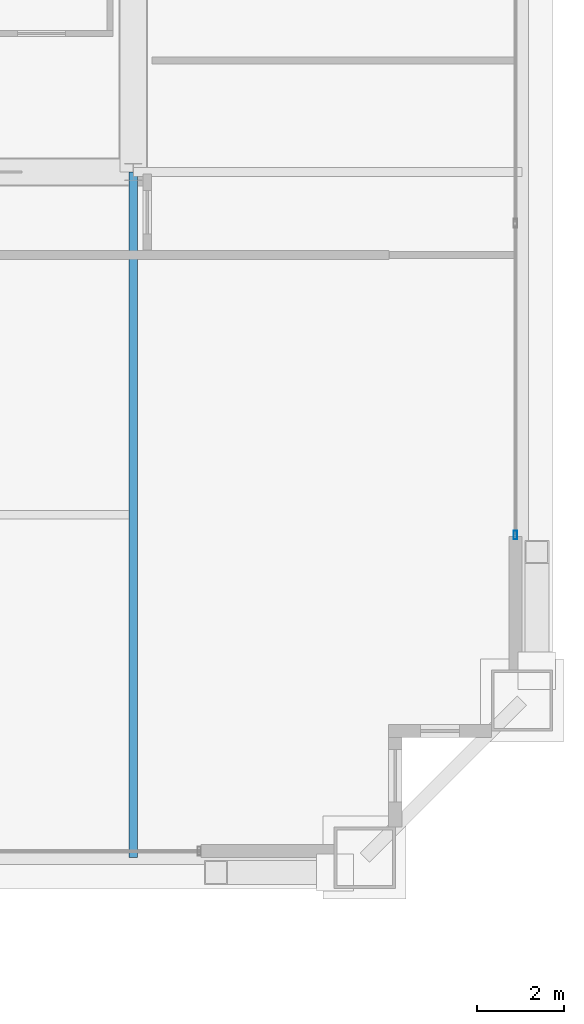
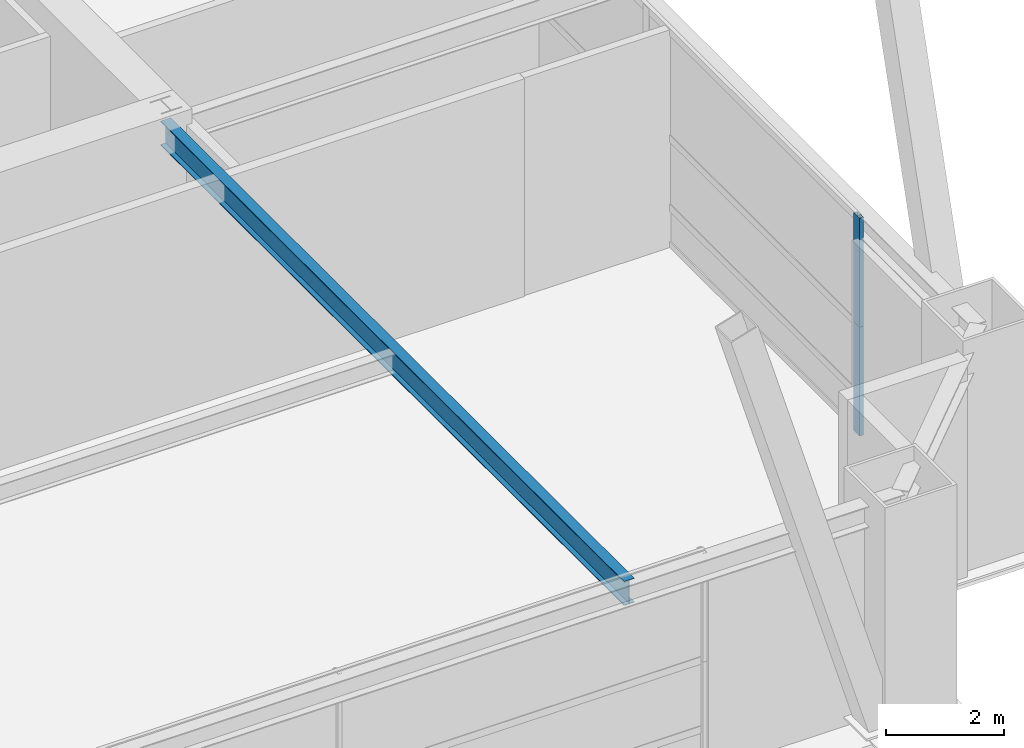
# One storey, part 15 of 34: 2 members, 1 beam, 1 element without a shape of its own.
"""IFC4 building model written with IfcOpenShell, lengths in metres."""

import ifcopenshell
import ifcopenshell.guid

model = None  # the IFC model being written
_history = None  # IfcOwnerHistory: only IFC2X3 demands one
_inside = {}  # id of a spatial element -> (the spatial element, [elements in it])
_under = {}  # id of a project, library or spatial element -> (it, [spatial elements below it])
_declared = {}  # id of a project -> (the project, [libraries it declares])
_typed = {}  # id of a type object -> (the type object, [elements of that type])
_made_of = {}  # id of a material, layer set ... -> (it, [elements and type objects made of it])


def new_model(schema):
    """Start an empty IFC model of exactly this schema.

    Asked for "IFC4X3", IfcOpenShell would pick the latest addendum, in which some entities
    have other attributes; the version numbers below select the first issue.
    IFC2X3 requires an IfcOwnerHistory on every rooted entity: one is made here for all.
    """
    global model, _history
    if schema == "IFC4X3":
        model = ifcopenshell.file(schema_version=(4, 3, 0, 0))
    else:
        model = ifcopenshell.file(schema=schema)
    _inside.clear()
    _under.clear()
    _declared.clear()
    _typed.clear()
    _made_of.clear()
    _history = None
    if model.schema == "IFC2X3":
        org = make("IfcOrganization", Name="unknown")
        user = make(
            "IfcPersonAndOrganization",
            ThePerson=make("IfcPerson", FamilyName="unknown"),
            TheOrganization=org,
        )
        app = make(
            "IfcApplication",
            ApplicationDeveloper=org,
            Version="unknown",
            ApplicationFullName="unknown",
            ApplicationIdentifier="unknown",
        )
        _history = make(
            "IfcOwnerHistory",
            OwningUser=user,
            OwningApplication=app,
            ChangeAction="ADDED",
            CreationDate=0,
        )
    return model


def make(cls, **values):
    """One entity of the class cls with the attributes given. An attribute that is None is left unset."""
    return model.create_entity(
        cls, **{name: value for name, value in values.items() if value is not None}
    )


def rooted(cls, **values):
    """An entity with a GlobalId (a new one), such as an element, a storey or a relation."""
    return make(cls, GlobalId=ifcopenshell.guid.new(), OwnerHistory=_history, **values)


def si_unit(unit_type, name, prefix=None):
    """IfcSIUnit, for example si_unit("LENGTHUNIT", "METRE", prefix="MILLI")."""
    return make("IfcSIUnit", UnitType=unit_type, Prefix=prefix, Name=name)


def assignment(units):
    """IfcUnitAssignment: the units of a project."""
    return None if units is None else make("IfcUnitAssignment", Units=units)


def point(xyz):
    """IfcCartesianPoint."""
    return None if xyz is None else make("IfcCartesianPoint", Coordinates=xyz)


def direction(xyz):
    """IfcDirection."""
    return None if xyz is None else make("IfcDirection", DirectionRatios=xyz)


def frame(location, z_axis=None, x_axis=None):
    """IfcAxis2Placement3D, a coordinate frame: its origin and axes. An axis left out is left unset."""
    return make(
        "IfcAxis2Placement3D",
        Location=point(location),
        Axis=direction(z_axis),
        RefDirection=direction(x_axis),
    )


def frame_2d(location, x_axis=None):
    """IfcAxis2Placement2D, a coordinate frame in the plane: its origin and x axis."""
    return make(
        "IfcAxis2Placement2D", Location=point(location), RefDirection=direction(x_axis)
    )


def origin():
    """The frame at (0, 0, 0) with its axes left unset."""
    return frame((0.0, 0.0, 0.0))


def origin_2d():
    """The frame at (0, 0) in the plane with its x axis left unset."""
    return frame_2d((0.0, 0.0))


def place(relative_to, where):
    """IfcLocalPlacement: puts the frame where relative to a parent placement (None: the world)."""
    return make(
        "IfcLocalPlacement", PlacementRelTo=relative_to, RelativePlacement=where
    )


def context(
    kind, dimensions, precision=None, world=None, true_north=None, identifier=None
):
    """IfcGeometricRepresentationContext, for example the 3D "Model" context."""
    return make(
        "IfcGeometricRepresentationContext",
        ContextIdentifier=identifier,
        ContextType=kind,
        CoordinateSpaceDimension=dimensions,
        Precision=precision,
        WorldCoordinateSystem=world,
        TrueNorth=true_north,
    )


def subcontext(parent, identifier, kind, view, scale=None):
    """IfcGeometricRepresentationSubContext, for example "Body" below "Model"."""
    return make(
        "IfcGeometricRepresentationSubContext",
        ContextIdentifier=identifier,
        ContextType=kind,
        ParentContext=parent,
        TargetScale=scale,
        TargetView=view,
    )


def project(units=None, contexts=None):
    """IfcProject with its units and contexts."""
    return rooted(
        "IfcProject",
        Name="project",
        RepresentationContexts=contexts,
        UnitsInContext=assignment(units),
    )


def spatial(cls, under=None, at=None, **own):
    """A site, building, storey or space (cls), placed at a placement, below another one or the project."""
    s = rooted(cls, ObjectPlacement=at, **own)
    if under is not None:
        _under.setdefault(under.id(), (under, []))[1].append(s)
    return s


def profile(cls, at=None, kind="AREA", **sizes):
    """A parametric profile (cls). Its sizes go by their IFC names, for example OverallWidth=200.0."""
    return make(cls, ProfileType=kind, Position=at, **sizes)


def hollow_rectangle(**sizes):
    """IfcRectangleHollowProfileDef."""
    return profile("IfcRectangleHollowProfileDef", **sizes)


def i_section(**sizes):
    """IfcIShapeProfileDef."""
    return profile("IfcIShapeProfileDef", **sizes)


def extrude(swept, where, along, depth):
    """IfcExtrudedAreaSolid: the profile swept, set in the frame where, extruded along a direction by depth."""
    return make(
        "IfcExtrudedAreaSolid",
        SweptArea=swept,
        Position=where,
        ExtrudedDirection=direction(along),
        Depth=depth,
    )


def shape(context_of_items, identifier, shape_type, items):
    """IfcShapeRepresentation: the items that make up one representation, for example the "Body"."""
    return make(
        "IfcShapeRepresentation",
        ContextOfItems=context_of_items,
        RepresentationIdentifier=identifier,
        RepresentationType=shape_type,
        Items=items,
    )


def source(mapping_origin, context_of_items, identifier, shape_type, items):
    """IfcRepresentationMap: a shape defined once, which mapped items show again and again."""
    return make(
        "IfcRepresentationMap",
        MappingOrigin=mapping_origin,
        MappedRepresentation=shape(context_of_items, identifier, shape_type, items),
    )


def transform(
    local_origin,
    x_axis=None,
    y_axis=None,
    z_axis=None,
    scale=None,
    scale2=None,
    scale3=None,
    uniform=True,
):
    """IfcCartesianTransformationOperator3D, or its non-uniform kind. x_axis, y_axis, z_axis: its Axis1, 2, 3."""
    if uniform:
        return make(
            "IfcCartesianTransformationOperator3D",
            Axis1=direction(x_axis),
            Axis2=direction(y_axis),
            LocalOrigin=point(local_origin),
            Scale=scale,
            Axis3=direction(z_axis),
        )
    return make(
        "IfcCartesianTransformationOperator3DnonUniform",
        Axis1=direction(x_axis),
        Axis2=direction(y_axis),
        LocalOrigin=point(local_origin),
        Scale=scale,
        Axis3=direction(z_axis),
        Scale2=scale2,
        Scale3=scale3,
    )


def mapped(mapping_source, mapping_target):
    """IfcMappedItem: shows the shape of a source again, moved by a transform."""
    return make(
        "IfcMappedItem", MappingSource=mapping_source, MappingTarget=mapping_target
    )


def material(Name=None, Category=None):
    """IfcMaterial."""
    return make("IfcMaterial", Name=Name, Category=Category)


def layer(
    of_material, thickness, ventilated=None, Name=None, Category=None, Priority=None
):
    """IfcMaterialLayer: one layer of a wall or slab, of a material (None: an air gap)."""
    return make(
        "IfcMaterialLayer",
        Material=of_material,
        LayerThickness=thickness,
        IsVentilated=ventilated,
        Name=Name,
        Category=Category,
        Priority=Priority,
    )


def layer_set(layers, Name=None):
    """IfcMaterialLayerSet."""
    return make("IfcMaterialLayerSet", MaterialLayers=layers, LayerSetName=Name)


def material_profile(
    of_material, cross_section, Name=None, Category=None, Priority=None
):
    """IfcMaterialProfile: a cross section and its material."""
    return make(
        "IfcMaterialProfile",
        Name=Name,
        Material=of_material,
        Profile=cross_section,
        Priority=Priority,
        Category=Category,
    )


def profile_set(profiles, Name=None, composite=None):
    """IfcMaterialProfileSet."""
    return make(
        "IfcMaterialProfileSet",
        Name=Name,
        MaterialProfiles=profiles,
        CompositeProfile=composite,
    )


def made_of(thing, what):
    """Note that an element or type object is made of a material, layer set ...; save() writes the relation."""
    if what is not None:
        _made_of.setdefault(what.id(), (what, []))[1].append(thing)
    return thing


def type_object(cls, material=None, **own):
    """A type object (cls), such as IfcWallType, which elements share."""
    return made_of(rooted(cls, **own), material)


def element(
    cls,
    number,
    at=None,
    inside=None,
    cuts=None,
    type_object=None,
    material=None,
    context=None,
    identifier="Body",
    shape_type=None,
    held_by="IfcProductDefinitionShape",
    body=None,
    shapes=None,
    **own,
):
    """One element of the class cls, such as IfcWall. Its Tag is "e" and its number.

    at: its placement. inside: the storey or other place that contains it. cuts: it is an
    opening in that element (IfcRelVoidsElement). A single representation is given by context,
    identifier, shape_type and body (its items); several are given by shapes. held_by: the class
    of the entity that holds the representations. save() writes the other relations.
    """
    e = rooted(cls, Tag="e%d" % number, ObjectPlacement=at, **own)
    if body is not None:
        shapes = [shape(context, identifier, shape_type, body)]
    if shapes is not None:
        e.Representation = make(held_by, Representations=shapes)
    if inside is not None:
        _inside.setdefault(inside.id(), (inside, []))[1].append(e)
    if cuts is not None:
        rooted(
            "IfcRelVoidsElement", RelatingBuildingElement=cuts, RelatedOpeningElement=e
        )
    if type_object is not None:
        _typed.setdefault(type_object.id(), (type_object, []))[1].append(e)
    return made_of(e, material)


def aggregate(whole, parts):
    """IfcRelAggregates: a whole, such as a stair, and the parts it consists of."""
    return rooted("IfcRelAggregates", RelatingObject=whole, RelatedObjects=parts)


def save(model, path):
    """Write the relations noted so far, then the file.

    IfcRelAggregates (storeys below a building ...), IfcRelContainedInSpatialStructure (elements
    in a storey), IfcRelDefinesByType, IfcRelAssociatesMaterial and IfcRelDeclares: one each for
    every whole, place, type object, material and project.
    """
    for whole, parts in _under.values():
        aggregate(whole, parts)
    for where, things in _inside.values():
        rooted(
            "IfcRelContainedInSpatialStructure",
            RelatedElements=things,
            RelatingStructure=where,
        )
    for kind, things in _typed.values():
        rooted("IfcRelDefinesByType", RelatedObjects=things, RelatingType=kind)
    for what, things in _made_of.values():
        rooted("IfcRelAssociatesMaterial", RelatedObjects=things, RelatingMaterial=what)
    for by, libraries in _declared.values():
        rooted("IfcRelDeclares", RelatingContext=by, RelatedDefinitions=libraries)
    model.write(path)


model = new_model("IFC4")

# Units and contexts
model_context = context("Model", 3, precision=1e-05, world=origin(), true_north=direction((0.0, 1.0)))
body_context = subcontext(model_context, "Body", "Model", "MODEL_VIEW")
ifc_project = project(units=[si_unit("LENGTHUNIT", "METRE"), si_unit("AREAUNIT", "SQUARE_METRE"), si_unit("VOLUMEUNIT", "CUBIC_METRE"), si_unit("PLANEANGLEUNIT", "RADIAN"), si_unit("MASSUNIT", "GRAM", prefix="KILO"), si_unit("THERMODYNAMICTEMPERATUREUNIT", "KELVIN"), si_unit("POWERUNIT", "WATT")], contexts=[model_context])

# Site, building, storey
site_placement = place(None, origin())
site = spatial("IfcSite", under=ifc_project, at=site_placement, CompositionType="ELEMENT")
building_placement = place(site_placement, origin())
building = spatial("IfcBuilding", under=site, at=building_placement, Name="Yuzanri Waterfront Tower", CompositionType="ELEMENT")
storey_placement = place(building_placement, frame((0.0, 0.0, 166.800048828125)))
storey = spatial("IfcBuildingStorey", under=building, at=storey_placement, Name="L44", CompositionType="ELEMENT", Elevation=166.800048828125)

# Beam
ifc_material_1 = material(Name="Steel Q355B", Category="steel")
ifc_material_profile_1 = material_profile(ifc_material_1, i_section(OverallWidth=0.199951171875, OverallDepth=0.5, WebThickness=0.010009765625, FlangeThickness=0.01611328125, at=origin_2d()), Name="HN 500x200x10x16")
ifc_profile_set_1 = profile_set([ifc_material_profile_1], Name="Steel Q355B")
beam_type = type_object("IfcBeamType", Name="Secondary Floor Beam Q355B HN 500x200", PredefinedType="BEAM", material=ifc_profile_set_1)
shared_shape_1 = source(origin(), body_context, "Body", "SweptSolid", [
    extrude(i_section(OverallWidth=0.199951171875, OverallDepth=0.5, WebThickness=0.010009765625, FlangeThickness=0.01611328125, at=origin_2d()), origin(), (0.0, 0.0, 1.0), 15.699951171875),
])
beam_placement = place(storey_placement, frame((50.199951171875, 19.39990234375, 4.25), z_axis=(0.0, -1.0, 0.0), x_axis=(1.0, 0.0, 0.0)))
element("IfcBeam", 1, at=beam_placement, inside=storey, type_object=beam_type, Name="L44 South-East Core Line Beam", PredefinedType="BEAM", context=body_context, shape_type="MappedRepresentation", body=[
    mapped(shared_shape_1, transform((0.0, 0.0, 0.0), scale=1.0)),
])

# Curtain wall, members
ifc_material_2 = material(Name="Anodized Architectural Bronze", Category="metal")
ifc_layer = layer(ifc_material_2, 0.159912109375)
ifc_layer_set = layer_set([ifc_layer], Name="Anodized Architectural Bronze")
curtain_wall_type = type_object("IfcCurtainWallType", Name="Anodized Bronze Sky-Lobby Triple-Glazed Feature Curtain Wall 7500", PredefinedType="NOTDEFINED", material=ifc_layer_set)
curtain_wall_placement = place(storey_placement, origin())
curtain_wall = element("IfcCurtainWall", 2, at=curtain_wall_placement, inside=storey, type_object=curtain_wall_type, Name="L44 Curtain Wall CW-L44-EL", PredefinedType="NOTDEFINED")
ifc_material_3 = material(Name="Anodized Architectural Bronze", Category="metal")
ifc_material_profile_2 = material_profile(ifc_material_3, hollow_rectangle(XDim=0.074951171875, YDim=0.199951171875, WallThickness=0.00390625, at=origin_2d()), Name="CWM 75x200")
ifc_profile_set_2 = profile_set([ifc_material_profile_2], Name="Anodized Architectural Bronze")
member_type = type_object("IfcMemberType", Name="Anodized Bronze Primary Curtain-Wall Mullion 75x200", PredefinedType="MULLION", material=ifc_profile_set_2)
shared_shape_2 = source(origin(), body_context, "Body", "SweptSolid", [
    extrude(hollow_rectangle(XDim=0.074951171875, YDim=0.199951171875, WallThickness=0.00390625, at=origin_2d()), origin(), (0.0, 0.0, 1.0), 2.248046875),
])
member_1_placement = place(storey_placement, frame((58.949951171875, 11.090087890625, 0.0), z_axis=(0.0, 0.0, 1.0), x_axis=(1.0, 0.0, 0.0)))
member_1 = element("IfcMember", 3, at=member_1_placement, type_object=member_type, Name="CW-L44-EL Lower Mullion 00", PredefinedType="MULLION", context=body_context, shape_type="MappedRepresentation", body=[
    mapped(shared_shape_2, transform((0.0, 0.0, 0.0), scale=1.0)),
])
member_2_placement = place(storey_placement, frame((58.949951171875, 11.090087890625, 2.251953125), z_axis=(0.0, 0.0, 1.0), x_axis=(1.0, 0.0, 0.0)))
member_2 = element("IfcMember", 4, at=member_2_placement, type_object=member_type, Name="CW-L44-EL Upper Mullion 00", PredefinedType="MULLION", context=body_context, shape_type="MappedRepresentation", body=[
    mapped(shared_shape_2, transform((0.0, 0.0, 0.0), scale=1.0)),
])
aggregate(curtain_wall, [member_1, member_2])

save(model, "model.ifc")
